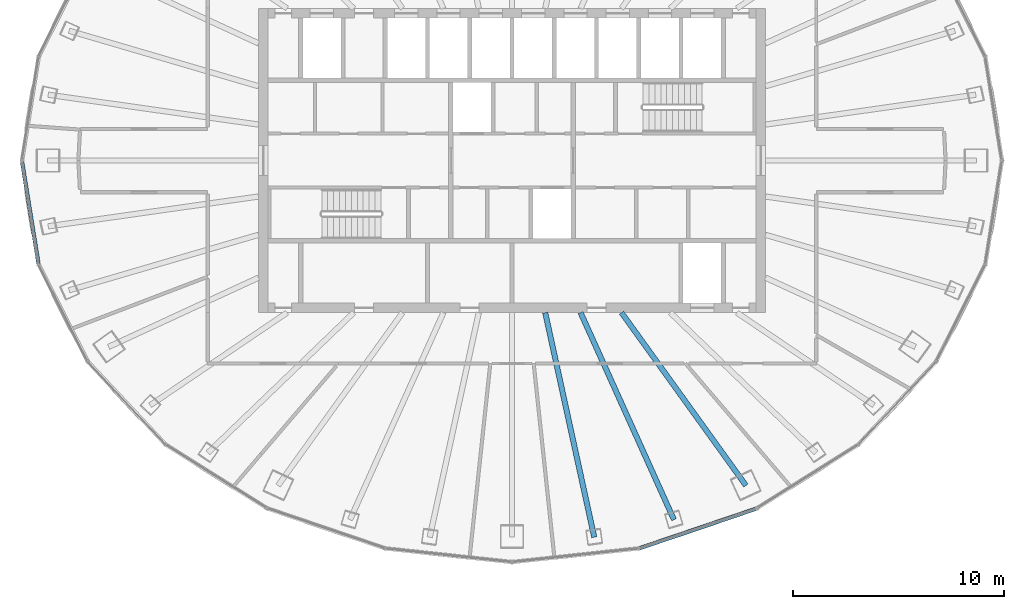
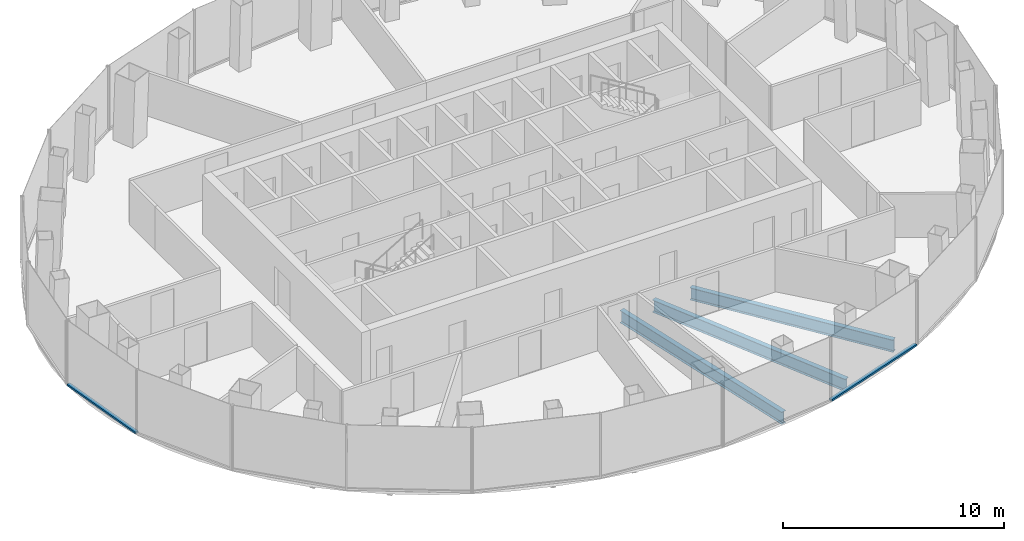
# One storey, part 3 of 11: 3 beams, 2 members, 2 elements without a shape of their own.
"""IFC4 building model written with IfcOpenShell, lengths in metres."""

from ifc_helpers import new_model, si_unit, direction, frame, origin, origin_2d, place, context, subcontext, project, spatial, rectangle, i_section, extrude, material, layer, layer_set, material_profile, profile_set, type_object, element, aggregate, save


model = new_model("IFC4")

# Units and contexts
model_context = context("Model", 3, precision=1e-05, world=origin(), true_north=direction((0.0, 1.0)))
body_context = subcontext(model_context, "Body", "Model", "MODEL_VIEW")
ifc_project = project(units=[si_unit("LENGTHUNIT", "METRE"), si_unit("AREAUNIT", "SQUARE_METRE"), si_unit("VOLUMEUNIT", "CUBIC_METRE"), si_unit("PLANEANGLEUNIT", "RADIAN"), si_unit("MASSUNIT", "GRAM", prefix="KILO")], contexts=[model_context])

# Site, building, storey
site_placement = place(None, origin())
site = spatial("IfcSite", under=ifc_project, at=site_placement, CompositionType="ELEMENT")
building_placement = place(site_placement, origin())
building = spatial("IfcBuilding", under=site, at=building_placement, Name="Siaravel Broadcast Tower", CompositionType="ELEMENT")
storey_placement = place(building_placement, frame((0.0, 0.0, 186.699951171875)))
storey = spatial("IfcBuildingStorey", under=building, at=storey_placement, Name="L45", CompositionType="ELEMENT", Elevation=186.699951171875)

# Beams
ifc_material_1 = material(Name="Steel S355", Category="steel")
ifc_material_profile_1 = material_profile(ifc_material_1, i_section(OverallWidth=0.2529296875, OverallDepth=0.677978515625, WebThickness=0.01171875, FlangeThickness=0.01611328125, FilletRadius=0.01513671875, at=origin_2d()))
ifc_profile_set_1 = profile_set([ifc_material_profile_1], Name="Steel S355")
beam_type = type_object("IfcBeamType", Name="BM-UB 686x254x125", PredefinedType="BEAM", material=ifc_profile_set_1)
beam_1_placement = place(storey_placement, frame((3.8935546875, -17.826416015625, -0.489013671875), z_axis=(-0.213390286, 0.976967034, 0.0), x_axis=(-0.976967034, -0.213390286, 0.0)))
element("IfcBeam", 1, at=beam_1_placement, inside=storey, type_object=beam_type, Name="Radial beam RB29", PredefinedType="BEAM", context=body_context, shape_type="SweptSolid", body=[
    extrude(i_section(OverallWidth=0.2529296875, OverallDepth=0.677978515625, WebThickness=0.01171875, FlangeThickness=0.01611328125, FilletRadius=0.01513671875, at=origin_2d()), origin(), (0.0, 0.0, 1.0), 10.876953125),
])
beam_2_placement = place(storey_placement, frame((7.665283203125, -16.998779296875, -0.489013671875), z_axis=(-0.411059642, 0.911608453, 0.0), x_axis=(-0.911608453, -0.411059642, 0.0)))
element("IfcBeam", 2, at=beam_2_placement, inside=storey, type_object=beam_type, Name="Radial beam RB30", PredefinedType="BEAM", context=body_context, shape_type="SweptSolid", body=[
    extrude(i_section(OverallWidth=0.2529296875, OverallDepth=0.677978515625, WebThickness=0.01171875, FlangeThickness=0.01611328125, FilletRadius=0.01513671875, at=origin_2d()), origin(), (0.0, 0.0, 1.0), 10.7490234375),
])
beam_3_placement = place(storey_placement, frame((11.070068359375, -15.378173828125, -0.489013671875), z_axis=(-0.584231963, 0.811586726, 0.0), x_axis=(-0.811586726, -0.584231963, 0.0)))
element("IfcBeam", 3, at=beam_3_placement, inside=storey, type_object=beam_type, Name="Radial beam RB31", PredefinedType="BEAM", context=body_context, shape_type="SweptSolid", body=[
    extrude(i_section(OverallWidth=0.2529296875, OverallDepth=0.677978515625, WebThickness=0.01171875, FlangeThickness=0.01611328125, FilletRadius=0.01513671875, at=origin_2d()), origin(), (0.0, 0.0, 1.0), 10.076904296875),
])

# Curtain wall, member
ifc_material_2 = material(Name="Aluminium 6063-T6", Category="aluminium")
ifc_layer = layer(ifc_material_2, 0.179931640625)
ifc_layer_set = layer_set([ifc_layer], Name="Aluminium 6063-T6")
curtain_wall_type = type_object("IfcCurtainWallType", Name="Unitised curtain wall, zone 3", PredefinedType="NOTDEFINED", material=ifc_layer_set)
curtain_wall_1_placement = place(storey_placement, origin())
curtain_wall_1 = element("IfcCurtainWall", 4, at=curtain_wall_1_placement, inside=storey, type_object=curtain_wall_type, Name="L45 Unitised curtain wall, zone 3 07", PredefinedType="NOTDEFINED")
ifc_material_profile_2 = material_profile(ifc_material_2, rectangle(XDim=0.179931640625, YDim=0.10009765625, at=origin_2d()))
ifc_profile_set_2 = profile_set([ifc_material_profile_2], Name="Aluminium 6063-T6")
member_type = type_object("IfcMemberType", Name="CW-Z3 transom", PredefinedType="USERDEFINED", material=ifc_profile_set_2)
member_1_placement = place(storey_placement, frame((-23.18505859375, -0.05908203125, 0.050048828125), z_axis=(0.158686777, -0.987328976, 0.0), x_axis=(0.987328976, 0.158686777, 0.0)))
member_1 = element("IfcMember", 5, at=member_1_placement, type_object=member_type, Name="CW-Z3 transom 1", ObjectType="TRANSOM", PredefinedType="USERDEFINED", context=body_context, shape_type="SweptSolid", body=[
    extrude(rectangle(XDim=0.179931640625, YDim=0.10009765625, at=origin_2d()), origin(), (0.0, 0.0, 1.0), 4.8955078125),
])
aggregate(curtain_wall_1, [member_1])

curtain_wall_2_placement = place(storey_placement, origin())
curtain_wall_2 = element("IfcCurtainWall", 6, at=curtain_wall_2_placement, inside=storey, type_object=curtain_wall_type, Name="L45 Unitised curtain wall, zone 3 10", PredefinedType="NOTDEFINED")
member_2_placement = place(storey_placement, frame((6.029296875, -18.35107421875, 0.050048828125), z_axis=(0.946978016, 0.321298361, 0.0), x_axis=(-0.321298361, 0.946978016, 0.0)))
member_2 = element("IfcMember", 7, at=member_2_placement, type_object=member_type, Name="CW-Z3 transom 2", ObjectType="TRANSOM", PredefinedType="USERDEFINED", context=body_context, shape_type="SweptSolid", body=[
    extrude(rectangle(XDim=0.179931640625, YDim=0.10009765625, at=origin_2d()), origin(), (0.0, 0.0, 1.0), 5.81591796875),
])
aggregate(curtain_wall_2, [member_2])

save(model, "model.ifc")
